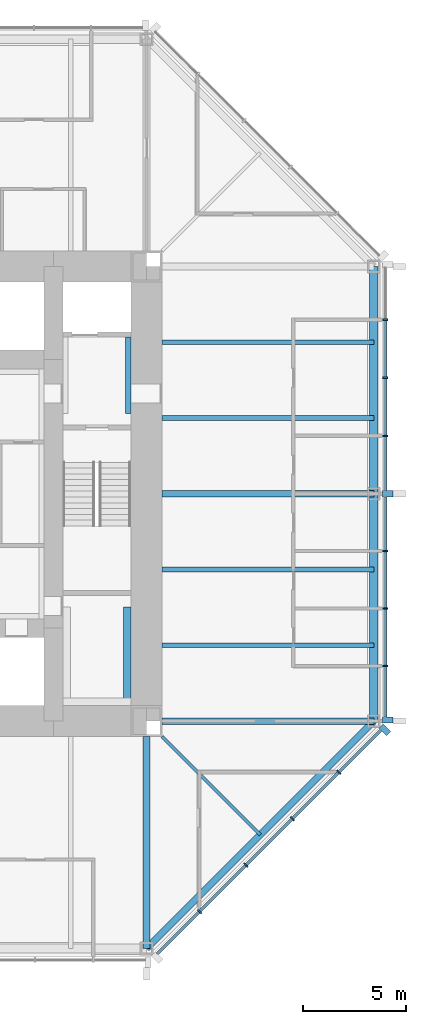
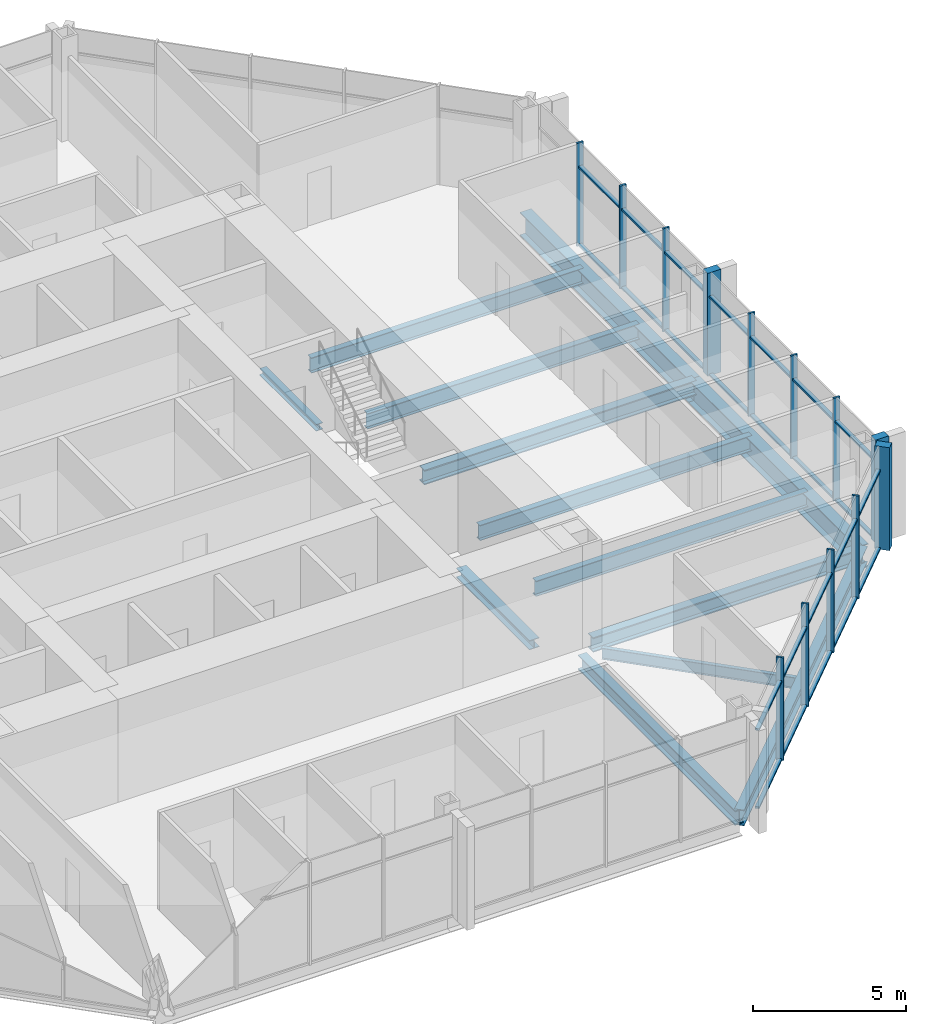
# One storey, part 4 of 12: 37 members, 13 beams, 2 elements without a shape of their own.
"""IFC4 building model written with IfcOpenShell, lengths in metres."""

import ifcopenshell
import ifcopenshell.guid

model = None  # the IFC model being written
_history = None  # IfcOwnerHistory: only IFC2X3 demands one
_inside = {}  # id of a spatial element -> (the spatial element, [elements in it])
_under = {}  # id of a project, library or spatial element -> (it, [spatial elements below it])
_declared = {}  # id of a project -> (the project, [libraries it declares])
_typed = {}  # id of a type object -> (the type object, [elements of that type])
_made_of = {}  # id of a material, layer set ... -> (it, [elements and type objects made of it])


def new_model(schema):
    """Start an empty IFC model of exactly this schema.

    Asked for "IFC4X3", IfcOpenShell would pick the latest addendum, in which some entities
    have other attributes; the version numbers below select the first issue.
    IFC2X3 requires an IfcOwnerHistory on every rooted entity: one is made here for all.
    """
    global model, _history
    if schema == "IFC4X3":
        model = ifcopenshell.file(schema_version=(4, 3, 0, 0))
    else:
        model = ifcopenshell.file(schema=schema)
    _inside.clear()
    _under.clear()
    _declared.clear()
    _typed.clear()
    _made_of.clear()
    _history = None
    if model.schema == "IFC2X3":
        org = make("IfcOrganization", Name="unknown")
        user = make(
            "IfcPersonAndOrganization",
            ThePerson=make("IfcPerson", FamilyName="unknown"),
            TheOrganization=org,
        )
        app = make(
            "IfcApplication",
            ApplicationDeveloper=org,
            Version="unknown",
            ApplicationFullName="unknown",
            ApplicationIdentifier="unknown",
        )
        _history = make(
            "IfcOwnerHistory",
            OwningUser=user,
            OwningApplication=app,
            ChangeAction="ADDED",
            CreationDate=0,
        )
    return model


def make(cls, **values):
    """One entity of the class cls with the attributes given. An attribute that is None is left unset."""
    return model.create_entity(
        cls, **{name: value for name, value in values.items() if value is not None}
    )


def rooted(cls, **values):
    """An entity with a GlobalId (a new one), such as an element, a storey or a relation."""
    return make(cls, GlobalId=ifcopenshell.guid.new(), OwnerHistory=_history, **values)


def si_unit(unit_type, name, prefix=None):
    """IfcSIUnit, for example si_unit("LENGTHUNIT", "METRE", prefix="MILLI")."""
    return make("IfcSIUnit", UnitType=unit_type, Prefix=prefix, Name=name)


def assignment(units):
    """IfcUnitAssignment: the units of a project."""
    return None if units is None else make("IfcUnitAssignment", Units=units)


def point(xyz):
    """IfcCartesianPoint."""
    return None if xyz is None else make("IfcCartesianPoint", Coordinates=xyz)


def direction(xyz):
    """IfcDirection."""
    return None if xyz is None else make("IfcDirection", DirectionRatios=xyz)


def frame(location, z_axis=None, x_axis=None):
    """IfcAxis2Placement3D, a coordinate frame: its origin and axes. An axis left out is left unset."""
    return make(
        "IfcAxis2Placement3D",
        Location=point(location),
        Axis=direction(z_axis),
        RefDirection=direction(x_axis),
    )


def frame_2d(location, x_axis=None):
    """IfcAxis2Placement2D, a coordinate frame in the plane: its origin and x axis."""
    return make(
        "IfcAxis2Placement2D", Location=point(location), RefDirection=direction(x_axis)
    )


def origin():
    """The frame at (0, 0, 0) with its axes left unset."""
    return frame((0.0, 0.0, 0.0))


def origin_2d():
    """The frame at (0, 0) in the plane with its x axis left unset."""
    return frame_2d((0.0, 0.0))


def place(relative_to, where):
    """IfcLocalPlacement: puts the frame where relative to a parent placement (None: the world)."""
    return make(
        "IfcLocalPlacement", PlacementRelTo=relative_to, RelativePlacement=where
    )


def context(
    kind, dimensions, precision=None, world=None, true_north=None, identifier=None
):
    """IfcGeometricRepresentationContext, for example the 3D "Model" context."""
    return make(
        "IfcGeometricRepresentationContext",
        ContextIdentifier=identifier,
        ContextType=kind,
        CoordinateSpaceDimension=dimensions,
        Precision=precision,
        WorldCoordinateSystem=world,
        TrueNorth=true_north,
    )


def subcontext(parent, identifier, kind, view, scale=None):
    """IfcGeometricRepresentationSubContext, for example "Body" below "Model"."""
    return make(
        "IfcGeometricRepresentationSubContext",
        ContextIdentifier=identifier,
        ContextType=kind,
        ParentContext=parent,
        TargetScale=scale,
        TargetView=view,
    )


def project(units=None, contexts=None):
    """IfcProject with its units and contexts."""
    return rooted(
        "IfcProject",
        Name="project",
        RepresentationContexts=contexts,
        UnitsInContext=assignment(units),
    )


def spatial(cls, under=None, at=None, **own):
    """A site, building, storey or space (cls), placed at a placement, below another one or the project."""
    s = rooted(cls, ObjectPlacement=at, **own)
    if under is not None:
        _under.setdefault(under.id(), (under, []))[1].append(s)
    return s


def profile(cls, at=None, kind="AREA", **sizes):
    """A parametric profile (cls). Its sizes go by their IFC names, for example OverallWidth=200.0."""
    return make(cls, ProfileType=kind, Position=at, **sizes)


def rectangle(**sizes):
    """IfcRectangleProfileDef."""
    return profile("IfcRectangleProfileDef", **sizes)


def i_section(**sizes):
    """IfcIShapeProfileDef."""
    return profile("IfcIShapeProfileDef", **sizes)


def extrude(swept, where, along, depth):
    """IfcExtrudedAreaSolid: the profile swept, set in the frame where, extruded along a direction by depth."""
    return make(
        "IfcExtrudedAreaSolid",
        SweptArea=swept,
        Position=where,
        ExtrudedDirection=direction(along),
        Depth=depth,
    )


def shape(context_of_items, identifier, shape_type, items):
    """IfcShapeRepresentation: the items that make up one representation, for example the "Body"."""
    return make(
        "IfcShapeRepresentation",
        ContextOfItems=context_of_items,
        RepresentationIdentifier=identifier,
        RepresentationType=shape_type,
        Items=items,
    )


def material(Name=None, Category=None):
    """IfcMaterial."""
    return make("IfcMaterial", Name=Name, Category=Category)


def material_profile(
    of_material, cross_section, Name=None, Category=None, Priority=None
):
    """IfcMaterialProfile: a cross section and its material."""
    return make(
        "IfcMaterialProfile",
        Name=Name,
        Material=of_material,
        Profile=cross_section,
        Priority=Priority,
        Category=Category,
    )


def profile_set(profiles, Name=None, composite=None):
    """IfcMaterialProfileSet."""
    return make(
        "IfcMaterialProfileSet",
        Name=Name,
        MaterialProfiles=profiles,
        CompositeProfile=composite,
    )


def made_of(thing, what):
    """Note that an element or type object is made of a material, layer set ...; save() writes the relation."""
    if what is not None:
        _made_of.setdefault(what.id(), (what, []))[1].append(thing)
    return thing


def type_object(cls, material=None, **own):
    """A type object (cls), such as IfcWallType, which elements share."""
    return made_of(rooted(cls, **own), material)


def element(
    cls,
    number,
    at=None,
    inside=None,
    cuts=None,
    type_object=None,
    material=None,
    context=None,
    identifier="Body",
    shape_type=None,
    held_by="IfcProductDefinitionShape",
    body=None,
    shapes=None,
    **own,
):
    """One element of the class cls, such as IfcWall. Its Tag is "e" and its number.

    at: its placement. inside: the storey or other place that contains it. cuts: it is an
    opening in that element (IfcRelVoidsElement). A single representation is given by context,
    identifier, shape_type and body (its items); several are given by shapes. held_by: the class
    of the entity that holds the representations. save() writes the other relations.
    """
    e = rooted(cls, Tag="e%d" % number, ObjectPlacement=at, **own)
    if body is not None:
        shapes = [shape(context, identifier, shape_type, body)]
    if shapes is not None:
        e.Representation = make(held_by, Representations=shapes)
    if inside is not None:
        _inside.setdefault(inside.id(), (inside, []))[1].append(e)
    if cuts is not None:
        rooted(
            "IfcRelVoidsElement", RelatingBuildingElement=cuts, RelatedOpeningElement=e
        )
    if type_object is not None:
        _typed.setdefault(type_object.id(), (type_object, []))[1].append(e)
    return made_of(e, material)


def aggregate(whole, parts):
    """IfcRelAggregates: a whole, such as a stair, and the parts it consists of."""
    return rooted("IfcRelAggregates", RelatingObject=whole, RelatedObjects=parts)


def save(model, path):
    """Write the relations noted so far, then the file.

    IfcRelAggregates (storeys below a building ...), IfcRelContainedInSpatialStructure (elements
    in a storey), IfcRelDefinesByType, IfcRelAssociatesMaterial and IfcRelDeclares: one each for
    every whole, place, type object, material and project.
    """
    for whole, parts in _under.values():
        aggregate(whole, parts)
    for where, things in _inside.values():
        rooted(
            "IfcRelContainedInSpatialStructure",
            RelatedElements=things,
            RelatingStructure=where,
        )
    for kind, things in _typed.values():
        rooted("IfcRelDefinesByType", RelatedObjects=things, RelatingType=kind)
    for what, things in _made_of.values():
        rooted("IfcRelAssociatesMaterial", RelatedObjects=things, RelatingMaterial=what)
    for by, libraries in _declared.values():
        rooted("IfcRelDeclares", RelatingContext=by, RelatedDefinitions=libraries)
    model.write(path)


model = new_model("IFC4")

# Units and contexts
model_context = context("Model", 3, precision=1e-05, world=origin(), true_north=direction((0.0, 1.0)))
body_context = subcontext(model_context, "Body", "Model", "MODEL_VIEW")
ifc_project = project(units=[si_unit("LENGTHUNIT", "METRE"), si_unit("AREAUNIT", "SQUARE_METRE"), si_unit("VOLUMEUNIT", "CUBIC_METRE"), si_unit("PLANEANGLEUNIT", "RADIAN"), si_unit("MASSUNIT", "GRAM", prefix="KILO")], contexts=[model_context])

# Site, building, storey
site_placement = place(None, origin())
site = spatial("IfcSite", under=ifc_project, at=site_placement, CompositionType="ELEMENT")
building_placement = place(site_placement, origin())
building = spatial("IfcBuilding", under=site, at=building_placement, Name="Trevanion Tower", CompositionType="ELEMENT")
storey_placement = place(building_placement, frame((0.0, 0.0, 170.5)))
storey = spatial("IfcBuildingStorey", under=building, at=storey_placement, Name="L40", CompositionType="ELEMENT", Elevation=170.5)

# Beams
ifc_material_1 = material(Name="Steel ASTM A992 Grade 50", Category="steel")
ifc_material_profile_1 = material_profile(ifc_material_1, i_section(OverallWidth=0.22900390625, OverallDepth=0.612060546875, WebThickness=0.011962890625, FlangeThickness=0.01953125, at=origin_2d()), Name="W24X84")
ifc_profile_set_1 = profile_set([ifc_material_profile_1], Name="Steel ASTM A992 Grade 50")
beam_type_1 = type_object("IfcBeamType", Name="B7 W24X84", PredefinedType="BEAM", material=ifc_profile_set_1)
for number, where, z_axis, x_axis, name in (
    (1, (11.75, -7.333251953125, -0.49609375), (1.0, 0.0, 0.0), (0.0, 1.0, 0.0), "B7 L40"),
    (2, (11.75, -3.666748046875, -0.49609375), (1.0, 0.0, 0.0), (0.0, 1.0, 0.0), "B7 L40"),
    (3, (11.75, 3.666748046875, -0.49609375), (1.0, 0.0, 0.0), (0.0, 1.0, 0.0), "B7 L40"),
    (4, (11.75, 7.333251953125, -0.49609375), (1.0, 0.0, 0.0), (0.0, 1.0, 0.0), "B7 L40"),
):
    element("IfcBeam", number, at=place(storey_placement, frame(where, z_axis=z_axis, x_axis=x_axis)), inside=storey, type_object=beam_type_1, Name=name, PredefinedType="BEAM", context=body_context, shape_type="SweptSolid", body=[
        extrude(i_section(OverallWidth=0.22900390625, OverallDepth=0.612060546875, WebThickness=0.011962890625, FlangeThickness=0.01953125, at=origin_2d()), origin(), (0.0, 0.0, 1.0), 10.25),
    ])
ifc_material_2 = material(Name="Steel ASTM A992 Grade 50", Category="steel")
ifc_material_profile_2 = material_profile(ifc_material_2, i_section(OverallWidth=0.15234375, OverallDepth=0.449462890625, WebThickness=0.007568359375, FlangeThickness=0.0107421875, at=origin_2d()), Name="W18X35")
ifc_profile_set_2 = profile_set([ifc_material_profile_2], Name="Steel ASTM A992 Grade 50")
beam_type_2 = type_object("IfcBeamType", Name="B8 W18X35", PredefinedType="BEAM", material=ifc_profile_set_2)
beam_1_placement = place(storey_placement, frame((11.75, -11.75, -0.414794921875), z_axis=(0.707106781187, -0.707106781187, 0.0), x_axis=(0.707106781187, 0.707106781187, 0.0)))
element("IfcBeam", 5, at=beam_1_placement, inside=storey, type_object=beam_type_2, Name="B8 L40", PredefinedType="BEAM", context=body_context, shape_type="SweptSolid", body=[
    extrude(i_section(OverallWidth=0.15234375, OverallDepth=0.449462890625, WebThickness=0.007568359375, FlangeThickness=0.0107421875, at=origin_2d()), origin(), (0.0, 0.0, 1.0), 6.717529296875),
])

# Curtain wall, members
ifc_material_3 = material(Name="Aluminium and glass", Category="aluminium")
curtain_wall_type = type_object("IfcCurtainWallType", Name="CW2 curtain wall", PredefinedType="USERDEFINED", material=ifc_material_3)
curtain_wall_1_placement = place(storey_placement, origin())
curtain_wall_1 = element("IfcCurtainWall", 6, at=curtain_wall_1_placement, inside=storey, type_object=curtain_wall_type, Name="CW2 L40 0", ObjectType="UNITISED CURTAIN WALL", PredefinedType="USERDEFINED")
ifc_material_4 = material(Name="Aluminium extrusion, anodised bronze", Category="aluminium")
ifc_material_profile_3 = material_profile(ifc_material_4, rectangle(XDim=0.074951171875, YDim=0.25, at=origin_2d()), Name="CW2 mullion")
ifc_profile_set_3 = profile_set([ifc_material_profile_3], Name="Aluminium extrusion, anodised bronze")
member_type_1 = type_object("IfcMemberType", Name="CW2 mullion", PredefinedType="MULLION", material=ifc_profile_set_3)
member_1_placement = place(storey_placement, frame((22.550048828125, -8.323486328125, -0.18994140625), z_axis=(0.0, 0.0, 1.0), x_axis=(0.0, 1.0, 0.0)))
member_1 = element("IfcMember", 7, at=member_1_placement, type_object=member_type_1, Name="CW2 mullion 2", PredefinedType="MULLION", context=body_context, shape_type="SweptSolid", body=[
    extrude(rectangle(XDim=0.074951171875, YDim=0.25, at=origin_2d()), origin(), (0.0, 0.0, 1.0), 4.099853515625),
])
member_2_placement = place(storey_placement, frame((22.550048828125, -5.548828125, -0.18994140625), z_axis=(0.0, 0.0, 1.0), x_axis=(0.0, 1.0, 0.0)))
member_2 = element("IfcMember", 8, at=member_2_placement, type_object=member_type_1, Name="CW2 mullion 3", PredefinedType="MULLION", context=body_context, shape_type="SweptSolid", body=[
    extrude(rectangle(XDim=0.074951171875, YDim=0.25, at=origin_2d()), origin(), (0.0, 0.0, 1.0), 4.099853515625),
])
member_3_placement = place(storey_placement, frame((22.550048828125, -2.7744140625, -0.18994140625), z_axis=(0.0, 0.0, 1.0), x_axis=(0.0, 1.0, 0.0)))
member_3 = element("IfcMember", 9, at=member_3_placement, type_object=member_type_1, Name="CW2 mullion 4", PredefinedType="MULLION", context=body_context, shape_type="SweptSolid", body=[
    extrude(rectangle(XDim=0.074951171875, YDim=0.25, at=origin_2d()), origin(), (0.0, 0.0, 1.0), 4.099853515625),
])
member_4_placement = place(storey_placement, frame((22.550048828125, 2.806884765625, -0.18994140625), z_axis=(0.0, 0.0, 1.0), x_axis=(0.0, 1.0, 0.0)))
member_4 = element("IfcMember", 10, at=member_4_placement, type_object=member_type_1, Name="CW2 mullion 6", PredefinedType="MULLION", context=body_context, shape_type="SweptSolid", body=[
    extrude(rectangle(XDim=0.074951171875, YDim=0.25, at=origin_2d()), origin(), (0.0, 0.0, 1.0), 4.099853515625),
])
member_5_placement = place(storey_placement, frame((22.550048828125, 5.614013671875, -0.18994140625), z_axis=(0.0, 0.0, 1.0), x_axis=(0.0, 1.0, 0.0)))
member_5 = element("IfcMember", 11, at=member_5_placement, type_object=member_type_1, Name="CW2 mullion 7", PredefinedType="MULLION", context=body_context, shape_type="SweptSolid", body=[
    extrude(rectangle(XDim=0.074951171875, YDim=0.25, at=origin_2d()), origin(), (0.0, 0.0, 1.0), 4.099853515625),
])
member_6_placement = place(storey_placement, frame((22.550048828125, 8.4208984375, -0.18994140625), z_axis=(0.0, 0.0, 1.0), x_axis=(0.0, 1.0, 0.0)))
member_6 = element("IfcMember", 12, at=member_6_placement, type_object=member_type_1, Name="CW2 mullion 8", PredefinedType="MULLION", context=body_context, shape_type="SweptSolid", body=[
    extrude(rectangle(XDim=0.074951171875, YDim=0.25, at=origin_2d()), origin(), (0.0, 0.0, 1.0), 4.099853515625),
])

curtain_wall_2_placement = place(storey_placement, origin())
curtain_wall_2 = element("IfcCurtainWall", 13, at=curtain_wall_2_placement, inside=storey, type_object=curtain_wall_type, Name="CW2 L40 7", ObjectType="UNITISED CURTAIN WALL", PredefinedType="USERDEFINED")
member_7_placement = place(storey_placement, frame((13.56591796875, -20.2119140625, -0.18994140625), z_axis=(0.0, 0.0, 1.0), x_axis=(0.707106781187, 0.707106781187, 0.0)))
member_7 = element("IfcMember", 14, at=member_7_placement, type_object=member_type_1, Name="CW2 mullion 2", PredefinedType="MULLION", context=body_context, shape_type="SweptSolid", body=[
    extrude(rectangle(XDim=0.074951171875, YDim=0.25, at=origin_2d()), origin(), (0.0, 0.0, 1.0), 4.099853515625),
])
member_8_placement = place(storey_placement, frame((15.811767578125, -17.966064453125, -0.18994140625), z_axis=(0.0, 0.0, 1.0), x_axis=(0.707106781187, 0.707106781187, 0.0)))
member_8 = element("IfcMember", 15, at=member_8_placement, type_object=member_type_1, Name="CW2 mullion 3", PredefinedType="MULLION", context=body_context, shape_type="SweptSolid", body=[
    extrude(rectangle(XDim=0.074951171875, YDim=0.25, at=origin_2d()), origin(), (0.0, 0.0, 1.0), 4.099853515625),
])
member_9_placement = place(storey_placement, frame((18.057861328125, -15.719970703125, -0.18994140625), z_axis=(0.0, 0.0, 1.0), x_axis=(0.707106781187, 0.707106781187, 0.0)))
member_9 = element("IfcMember", 16, at=member_9_placement, type_object=member_type_1, Name="CW2 mullion 4", PredefinedType="MULLION", context=body_context, shape_type="SweptSolid", body=[
    extrude(rectangle(XDim=0.074951171875, YDim=0.25, at=origin_2d()), origin(), (0.0, 0.0, 1.0), 4.099853515625),
])
member_10_placement = place(storey_placement, frame((20.303955078125, -13.473876953125, -0.18994140625), z_axis=(0.0, 0.0, 1.0), x_axis=(0.707106781187, 0.707106781187, 0.0)))
member_10 = element("IfcMember", 17, at=member_10_placement, type_object=member_type_1, Name="CW2 mullion 5", PredefinedType="MULLION", context=body_context, shape_type="SweptSolid", body=[
    extrude(rectangle(XDim=0.074951171875, YDim=0.25, at=origin_2d()), origin(), (0.0, 0.0, 1.0), 4.099853515625),
])

# Member
ifc_material_5 = material(Name="Aluminium extrusion, anodised bronze", Category="aluminium")
ifc_material_profile_4 = material_profile(ifc_material_5, rectangle(XDim=0.300048828125, YDim=0.5, at=origin_2d()), Name="CW2 pier mullion")
ifc_profile_set_4 = profile_set([ifc_material_profile_4], Name="Aluminium extrusion, anodised bronze")
member_type_2 = type_object("IfcMemberType", Name="CW2 pier mullion", PredefinedType="MULLION", material=ifc_profile_set_4)
member_11_placement = place(storey_placement, frame((22.675048828125, -10.94775390625, -0.18994140625), z_axis=(0.0, 0.0, 1.0), x_axis=(0.0, 1.0, 0.0)))
member_11 = element("IfcMember", 18, at=member_11_placement, type_object=member_type_2, Name="CW2 pier mullion 1", PredefinedType="MULLION", context=body_context, shape_type="SweptSolid", body=[
    extrude(rectangle(XDim=0.300048828125, YDim=0.5, at=origin_2d()), origin(), (0.0, 0.0, 1.0), 4.099853515625),
])

member_12_placement = place(storey_placement, frame((22.675048828125, 0.0, -0.18994140625), z_axis=(0.0, 0.0, 1.0), x_axis=(0.0, 1.0, 0.0)))
member_12 = element("IfcMember", 19, at=member_12_placement, type_object=member_type_2, Name="CW2 pier mullion 5", PredefinedType="MULLION", context=body_context, shape_type="SweptSolid", body=[
    extrude(rectangle(XDim=0.300048828125, YDim=0.5, at=origin_2d()), origin(), (0.0, 0.0, 1.0), 4.099853515625),
])

member_13_placement = place(storey_placement, frame((22.5322265625, -11.42236328125, -0.18994140625), z_axis=(0.0, 0.0, 1.0), x_axis=(0.707106781187, 0.707106781187, 0.0)))
member_13 = element("IfcMember", 20, at=member_13_placement, type_object=member_type_2, Name="CW2 pier mullion 6", PredefinedType="MULLION", context=body_context, shape_type="SweptSolid", body=[
    extrude(rectangle(XDim=0.300048828125, YDim=0.5, at=origin_2d()), origin(), (0.0, 0.0, 1.0), 4.099853515625),
])

ifc_material_6 = material(Name="Aluminium extrusion, anodised bronze", Category="aluminium")
ifc_material_profile_5 = material_profile(ifc_material_6, rectangle(XDim=0.14990234375, YDim=0.074951171875, at=origin_2d()), Name="CW2 transom")
ifc_profile_set_5 = profile_set([ifc_material_profile_5], Name="Aluminium extrusion, anodised bronze")
member_type_3 = type_object("IfcMemberType", Name="CW2 transom", PredefinedType="USERDEFINED", material=ifc_profile_set_5)
member_14_placement = place(storey_placement, frame((22.550048828125, -10.7978515625, -0.152587890625), z_axis=(0.0, 1.0, 0.0), x_axis=(-1.0, 0.0, 0.0)))
member_14 = element("IfcMember", 21, at=member_14_placement, type_object=member_type_3, Name="CW2 transom 1.1", ObjectType="TRANSOM", PredefinedType="USERDEFINED", context=body_context, shape_type="SweptSolid", body=[
    extrude(rectangle(XDim=0.14990234375, YDim=0.074951171875, at=origin_2d()), origin(), (0.0, 0.0, 1.0), 2.43701171875),
])

member_15_placement = place(storey_placement, frame((22.550048828125, -10.7978515625, 2.9599609375), z_axis=(0.0, 1.0, 0.0), x_axis=(-1.0, 0.0, 0.0)))
member_15 = element("IfcMember", 22, at=member_15_placement, type_object=member_type_3, Name="CW2 transom 1.2", ObjectType="TRANSOM", PredefinedType="USERDEFINED", context=body_context, shape_type="SweptSolid", body=[
    extrude(rectangle(XDim=0.14990234375, YDim=0.074951171875, at=origin_2d()), origin(), (0.0, 0.0, 1.0), 2.43701171875),
])

member_16_placement = place(storey_placement, frame((22.550048828125, -8.285888671875, -0.152587890625), z_axis=(0.0, 1.0, 0.0), x_axis=(-1.0, 0.0, 0.0)))
member_16 = element("IfcMember", 23, at=member_16_placement, type_object=member_type_3, Name="CW2 transom 2.1", ObjectType="TRANSOM", PredefinedType="USERDEFINED", context=body_context, shape_type="SweptSolid", body=[
    extrude(rectangle(XDim=0.14990234375, YDim=0.074951171875, at=origin_2d()), origin(), (0.0, 0.0, 1.0), 2.699462890625),
])

member_17_placement = place(storey_placement, frame((22.550048828125, -8.285888671875, 2.9599609375), z_axis=(0.0, 1.0, 0.0), x_axis=(-1.0, 0.0, 0.0)))
member_17 = element("IfcMember", 24, at=member_17_placement, type_object=member_type_3, Name="CW2 transom 2.2", ObjectType="TRANSOM", PredefinedType="USERDEFINED", context=body_context, shape_type="SweptSolid", body=[
    extrude(rectangle(XDim=0.14990234375, YDim=0.074951171875, at=origin_2d()), origin(), (0.0, 0.0, 1.0), 2.699462890625),
])

member_18_placement = place(storey_placement, frame((22.550048828125, -5.511474609375, -0.152587890625), z_axis=(0.0, 1.0, 0.0), x_axis=(-1.0, 0.0, 0.0)))
member_18 = element("IfcMember", 25, at=member_18_placement, type_object=member_type_3, Name="CW2 transom 3.1", ObjectType="TRANSOM", PredefinedType="USERDEFINED", context=body_context, shape_type="SweptSolid", body=[
    extrude(rectangle(XDim=0.14990234375, YDim=0.074951171875, at=origin_2d()), origin(), (0.0, 0.0, 1.0), 2.699462890625),
])

member_19_placement = place(storey_placement, frame((22.550048828125, -5.511474609375, 2.9599609375), z_axis=(0.0, 1.0, 0.0), x_axis=(-1.0, 0.0, 0.0)))
member_19 = element("IfcMember", 26, at=member_19_placement, type_object=member_type_3, Name="CW2 transom 3.2", ObjectType="TRANSOM", PredefinedType="USERDEFINED", context=body_context, shape_type="SweptSolid", body=[
    extrude(rectangle(XDim=0.14990234375, YDim=0.074951171875, at=origin_2d()), origin(), (0.0, 0.0, 1.0), 2.699462890625),
])

member_20_placement = place(storey_placement, frame((22.550048828125, -2.737060546875, -0.152587890625), z_axis=(0.0, 1.0, 0.0), x_axis=(-1.0, 0.0, 0.0)))
member_20 = element("IfcMember", 27, at=member_20_placement, type_object=member_type_3, Name="CW2 transom 4.1", ObjectType="TRANSOM", PredefinedType="USERDEFINED", context=body_context, shape_type="SweptSolid", body=[
    extrude(rectangle(XDim=0.14990234375, YDim=0.074951171875, at=origin_2d()), origin(), (0.0, 0.0, 1.0), 2.587158203125),
])

member_21_placement = place(storey_placement, frame((22.550048828125, -2.737060546875, 2.9599609375), z_axis=(0.0, 1.0, 0.0), x_axis=(-1.0, 0.0, 0.0)))
member_21 = element("IfcMember", 28, at=member_21_placement, type_object=member_type_3, Name="CW2 transom 4.2", ObjectType="TRANSOM", PredefinedType="USERDEFINED", context=body_context, shape_type="SweptSolid", body=[
    extrude(rectangle(XDim=0.14990234375, YDim=0.074951171875, at=origin_2d()), origin(), (0.0, 0.0, 1.0), 2.587158203125),
])

member_22_placement = place(storey_placement, frame((22.550048828125, 0.14990234375, -0.152587890625), z_axis=(0.0, 1.0, 0.0), x_axis=(-1.0, 0.0, 0.0)))
member_22 = element("IfcMember", 29, at=member_22_placement, type_object=member_type_3, Name="CW2 transom 5.1", ObjectType="TRANSOM", PredefinedType="USERDEFINED", context=body_context, shape_type="SweptSolid", body=[
    extrude(rectangle(XDim=0.14990234375, YDim=0.074951171875, at=origin_2d()), origin(), (0.0, 0.0, 1.0), 2.619384765625),
])

member_23_placement = place(storey_placement, frame((22.550048828125, 0.14990234375, 2.9599609375), z_axis=(0.0, 1.0, 0.0), x_axis=(-1.0, 0.0, 0.0)))
member_23 = element("IfcMember", 30, at=member_23_placement, type_object=member_type_3, Name="CW2 transom 5.2", ObjectType="TRANSOM", PredefinedType="USERDEFINED", context=body_context, shape_type="SweptSolid", body=[
    extrude(rectangle(XDim=0.14990234375, YDim=0.074951171875, at=origin_2d()), origin(), (0.0, 0.0, 1.0), 2.619384765625),
])

member_24_placement = place(storey_placement, frame((22.550048828125, 2.844482421875, -0.152587890625), z_axis=(0.0, 1.0, 0.0), x_axis=(-1.0, 0.0, 0.0)))
member_24 = element("IfcMember", 31, at=member_24_placement, type_object=member_type_3, Name="CW2 transom 6.1", ObjectType="TRANSOM", PredefinedType="USERDEFINED", context=body_context, shape_type="SweptSolid", body=[
    extrude(rectangle(XDim=0.14990234375, YDim=0.074951171875, at=origin_2d()), origin(), (0.0, 0.0, 1.0), 2.73193359375),
])

member_25_placement = place(storey_placement, frame((22.550048828125, 2.844482421875, 2.9599609375), z_axis=(0.0, 1.0, 0.0), x_axis=(-1.0, 0.0, 0.0)))
member_25 = element("IfcMember", 32, at=member_25_placement, type_object=member_type_3, Name="CW2 transom 6.2", ObjectType="TRANSOM", PredefinedType="USERDEFINED", context=body_context, shape_type="SweptSolid", body=[
    extrude(rectangle(XDim=0.14990234375, YDim=0.074951171875, at=origin_2d()), origin(), (0.0, 0.0, 1.0), 2.73193359375),
])

member_26_placement = place(storey_placement, frame((22.550048828125, 5.6513671875, -0.152587890625), z_axis=(0.0, 1.0, 0.0), x_axis=(-1.0, 0.0, 0.0)))
member_26 = element("IfcMember", 33, at=member_26_placement, type_object=member_type_3, Name="CW2 transom 7.1", ObjectType="TRANSOM", PredefinedType="USERDEFINED", context=body_context, shape_type="SweptSolid", body=[
    extrude(rectangle(XDim=0.14990234375, YDim=0.074951171875, at=origin_2d()), origin(), (0.0, 0.0, 1.0), 2.73193359375),
])

member_27_placement = place(storey_placement, frame((22.550048828125, 5.6513671875, 2.9599609375), z_axis=(0.0, 1.0, 0.0), x_axis=(-1.0, 0.0, 0.0)))
member_27 = element("IfcMember", 34, at=member_27_placement, type_object=member_type_3, Name="CW2 transom 7.2", ObjectType="TRANSOM", PredefinedType="USERDEFINED", context=body_context, shape_type="SweptSolid", body=[
    extrude(rectangle(XDim=0.14990234375, YDim=0.074951171875, at=origin_2d()), origin(), (0.0, 0.0, 1.0), 2.73193359375),
])

aggregate(curtain_wall_1, [member_11, member_1, member_2, member_3, member_12, member_4, member_5, member_6, member_14, member_15, member_16, member_17, member_18, member_19, member_20, member_21, member_22, member_23, member_24, member_25, member_26, member_27])

member_28_placement = place(storey_placement, frame((11.531982421875, -22.245849609375, -0.152587890625), z_axis=(0.707106781187, 0.707106781187, 0.0), x_axis=(-0.707106781187, 0.707106781187, 0.0)))
member_28 = element("IfcMember", 35, at=member_28_placement, type_object=member_type_3, Name="CW2 transom 1.1", ObjectType="TRANSOM", PredefinedType="USERDEFINED", context=body_context, shape_type="SweptSolid", body=[
    extrude(rectangle(XDim=0.14990234375, YDim=0.074951171875, at=origin_2d()), origin(), (0.0, 0.0, 1.0), 2.8388671875),
])

member_29_placement = place(storey_placement, frame((11.531982421875, -22.245849609375, 2.9599609375), z_axis=(0.707106781187, 0.707106781187, 0.0), x_axis=(-0.707106781187, 0.707106781187, 0.0)))
member_29 = element("IfcMember", 36, at=member_29_placement, type_object=member_type_3, Name="CW2 transom 1.2", ObjectType="TRANSOM", PredefinedType="USERDEFINED", context=body_context, shape_type="SweptSolid", body=[
    extrude(rectangle(XDim=0.14990234375, YDim=0.074951171875, at=origin_2d()), origin(), (0.0, 0.0, 1.0), 2.8388671875),
])

member_30_placement = place(storey_placement, frame((13.59228515625, -20.185546875, -0.152587890625), z_axis=(0.707106781187, 0.707106781187, 0.0), x_axis=(-0.707106781187, 0.707106781187, 0.0)))
member_30 = element("IfcMember", 37, at=member_30_placement, type_object=member_type_3, Name="CW2 transom 2.1", ObjectType="TRANSOM", PredefinedType="USERDEFINED", context=body_context, shape_type="SweptSolid", body=[
    extrude(rectangle(XDim=0.14990234375, YDim=0.074951171875, at=origin_2d()), origin(), (0.0, 0.0, 1.0), 3.1015625),
])

member_31_placement = place(storey_placement, frame((13.59228515625, -20.185546875, 2.9599609375), z_axis=(0.707106781187, 0.707106781187, 0.0), x_axis=(-0.707106781187, 0.707106781187, 0.0)))
member_31 = element("IfcMember", 38, at=member_31_placement, type_object=member_type_3, Name="CW2 transom 2.2", ObjectType="TRANSOM", PredefinedType="USERDEFINED", context=body_context, shape_type="SweptSolid", body=[
    extrude(rectangle(XDim=0.14990234375, YDim=0.074951171875, at=origin_2d()), origin(), (0.0, 0.0, 1.0), 3.1015625),
])

member_32_placement = place(storey_placement, frame((15.83837890625, -17.939453125, -0.152587890625), z_axis=(0.707106781187, 0.707106781187, 0.0), x_axis=(-0.707106781187, 0.707106781187, 0.0)))
member_32 = element("IfcMember", 39, at=member_32_placement, type_object=member_type_3, Name="CW2 transom 3.1", ObjectType="TRANSOM", PredefinedType="USERDEFINED", context=body_context, shape_type="SweptSolid", body=[
    extrude(rectangle(XDim=0.14990234375, YDim=0.074951171875, at=origin_2d()), origin(), (0.0, 0.0, 1.0), 3.1015625),
])

member_33_placement = place(storey_placement, frame((15.83837890625, -17.939453125, 2.9599609375), z_axis=(0.707106781187, 0.707106781187, 0.0), x_axis=(-0.707106781187, 0.707106781187, 0.0)))
member_33 = element("IfcMember", 40, at=member_33_placement, type_object=member_type_3, Name="CW2 transom 3.2", ObjectType="TRANSOM", PredefinedType="USERDEFINED", context=body_context, shape_type="SweptSolid", body=[
    extrude(rectangle(XDim=0.14990234375, YDim=0.074951171875, at=origin_2d()), origin(), (0.0, 0.0, 1.0), 3.1015625),
])

member_34_placement = place(storey_placement, frame((18.08447265625, -15.693359375, -0.152587890625), z_axis=(0.707106781187, 0.707106781187, 0.0), x_axis=(-0.707106781187, 0.707106781187, 0.0)))
member_34 = element("IfcMember", 41, at=member_34_placement, type_object=member_type_3, Name="CW2 transom 4.1", ObjectType="TRANSOM", PredefinedType="USERDEFINED", context=body_context, shape_type="SweptSolid", body=[
    extrude(rectangle(XDim=0.14990234375, YDim=0.074951171875, at=origin_2d()), origin(), (0.0, 0.0, 1.0), 3.10107421875),
])

member_35_placement = place(storey_placement, frame((18.08447265625, -15.693359375, 2.9599609375), z_axis=(0.707106781187, 0.707106781187, 0.0), x_axis=(-0.707106781187, 0.707106781187, 0.0)))
member_35 = element("IfcMember", 42, at=member_35_placement, type_object=member_type_3, Name="CW2 transom 4.2", ObjectType="TRANSOM", PredefinedType="USERDEFINED", context=body_context, shape_type="SweptSolid", body=[
    extrude(rectangle(XDim=0.14990234375, YDim=0.074951171875, at=origin_2d()), origin(), (0.0, 0.0, 1.0), 3.10107421875),
])

member_36_placement = place(storey_placement, frame((20.33056640625, -13.447509765625, -0.152587890625), z_axis=(0.707063781595, 0.707149778163, 0.0), x_axis=(-0.707149778163, 0.707063781595, 0.0)))
member_36 = element("IfcMember", 43, at=member_36_placement, type_object=member_type_3, Name="CW2 transom 5.1", ObjectType="TRANSOM", PredefinedType="USERDEFINED", context=body_context, shape_type="SweptSolid", body=[
    extrude(rectangle(XDim=0.14990234375, YDim=0.074951171875, at=origin_2d()), origin(), (0.0, 0.0, 1.0), 2.8388671875),
])

member_37_placement = place(storey_placement, frame((20.33056640625, -13.447509765625, 2.9599609375), z_axis=(0.707063781595, 0.707149778163, 0.0), x_axis=(-0.707149778163, 0.707063781595, 0.0)))
member_37 = element("IfcMember", 44, at=member_37_placement, type_object=member_type_3, Name="CW2 transom 5.2", ObjectType="TRANSOM", PredefinedType="USERDEFINED", context=body_context, shape_type="SweptSolid", body=[
    extrude(rectangle(XDim=0.14990234375, YDim=0.074951171875, at=origin_2d()), origin(), (0.0, 0.0, 1.0), 2.8388671875),
])

aggregate(curtain_wall_2, [member_7, member_8, member_9, member_10, member_13, member_28, member_29, member_30, member_31, member_32, member_33, member_34, member_35, member_36, member_37])

# Beams
ifc_material_7 = material(Name="Steel ASTM A992 Grade 50", Category="steel")
ifc_material_profile_6 = material_profile(ifc_material_7, i_section(OverallWidth=0.320068359375, OverallDepth=0.584228515625, WebThickness=0.023193359375, FlangeThickness=0.04150390625, at=origin_2d()), Name="W21X201")
ifc_profile_set_6 = profile_set([ifc_material_profile_6], Name="Steel ASTM A992 Grade 50")
beam_type_3 = type_object("IfcBeamType", Name="G4 W21X201", PredefinedType="BEAM", material=ifc_profile_set_6)
for number, where, z_axis, x_axis, name in (
    (45, (11.75, -11.0, -0.482177734375), (1.0, 0.0, 0.0), (0.0, 1.0, 0.0), "G4 L40"),
    (46, (11.75, 0.0, -0.482177734375), (1.0, 0.0, 0.0), (0.0, 1.0, 0.0), "G4 L40"),
    (47, (11.0, -11.75, -0.482177734375), (0.0, -1.0, 0.0), (1.0, 0.0, 0.0), "G4 L40"),
):
    element("IfcBeam", number, at=place(storey_placement, frame(where, z_axis=z_axis, x_axis=x_axis)), inside=storey, type_object=beam_type_3, Name=name, PredefinedType="BEAM", context=body_context, shape_type="SweptSolid", body=[
        extrude(i_section(OverallWidth=0.320068359375, OverallDepth=0.584228515625, WebThickness=0.023193359375, FlangeThickness=0.04150390625, at=origin_2d()), origin(), (0.0, 0.0, 1.0), 10.25),
    ])
ifc_material_8 = material(Name="Steel ASTM A992 Grade 50", Category="steel")
ifc_material_profile_7 = material_profile(ifc_material_8, i_section(OverallWidth=0.256591796875, OverallDepth=0.26416015625, WebThickness=0.011962890625, FlangeThickness=0.01953125, at=origin_2d()), Name="W10X68")
ifc_profile_set_7 = profile_set([ifc_material_profile_7], Name="Steel ASTM A992 Grade 50")
beam_type_4 = type_object("IfcBeamType", Name="LB1 W10X68", PredefinedType="BEAM", material=ifc_profile_set_7)
beam_2_placement = place(storey_placement, frame((10.12158203125, 3.875, -0.33203125), z_axis=(0.0, 1.0, 0.0), x_axis=(-1.0, 0.0, 0.0)))
element("IfcBeam", 48, at=beam_2_placement, inside=storey, type_object=beam_type_4, Name="LB1 L40", PredefinedType="BEAM", context=body_context, shape_type="SweptSolid", body=[
    extrude(i_section(OverallWidth=0.256591796875, OverallDepth=0.26416015625, WebThickness=0.011962890625, FlangeThickness=0.01953125, at=origin_2d()), origin(), (0.0, 0.0, 1.0), 3.699951171875),
])
ifc_material_9 = material(Name="Steel ASTM A992 Grade 50", Category="steel")
ifc_material_profile_8 = material_profile(ifc_material_9, i_section(OverallWidth=0.373291015625, OverallDepth=0.373291015625, WebThickness=0.016357421875, FlangeThickness=0.026123046875, at=origin_2d()), Name="W14X132")
ifc_profile_set_8 = profile_set([ifc_material_profile_8], Name="Steel ASTM A992 Grade 50")
beam_type_5 = type_object("IfcBeamType", Name="LB2 W14X132", PredefinedType="BEAM", material=ifc_profile_set_8)
beam_3_placement = place(storey_placement, frame((10.063232421875, -10.25, -0.38671875), z_axis=(0.0, 1.0, 0.0), x_axis=(-1.0, 0.0, 0.0)))
element("IfcBeam", 49, at=beam_3_placement, inside=storey, type_object=beam_type_5, Name="LB2 L40", PredefinedType="BEAM", context=body_context, shape_type="SweptSolid", body=[
    extrude(i_section(OverallWidth=0.373291015625, OverallDepth=0.373291015625, WebThickness=0.016357421875, FlangeThickness=0.026123046875, at=origin_2d()), origin(), (0.0, 0.0, 1.0), 4.77490234375),
])
ifc_material_10 = material(Name="Steel ASTM A992 Grade 50", Category="steel")
ifc_material_profile_9 = material_profile(ifc_material_10, i_section(OverallWidth=0.419189453125, OverallDepth=0.927001953125, WebThickness=0.019287109375, FlangeThickness=0.031982421875, at=origin_2d()), Name="W36X231")
ifc_profile_set_9 = profile_set([ifc_material_profile_9], Name="Steel ASTM A992 Grade 50")
beam_type_6 = type_object("IfcBeamType", Name="SB4 W36X231", PredefinedType="SPANDREL", material=ifc_profile_set_9)
for number, where, z_axis, x_axis, name in (
    (50, (22.0, -11.0, -0.653564453125), (0.0, 1.0, 0.0), (-1.0, 0.0, 0.0), "SB4 L40"),
    (51, (22.0, 0.0, -0.653564453125), (0.0, 1.0, 0.0), (-1.0, 0.0, 0.0), "SB4 L40"),
):
    element("IfcBeam", number, at=place(storey_placement, frame(where, z_axis=z_axis, x_axis=x_axis)), inside=storey, type_object=beam_type_6, Name=name, PredefinedType="SPANDREL", context=body_context, shape_type="SweptSolid", body=[
        extrude(i_section(OverallWidth=0.419189453125, OverallDepth=0.927001953125, WebThickness=0.019287109375, FlangeThickness=0.031982421875, at=origin_2d()), origin(), (0.0, 0.0, 1.0), 11.0),
    ])
ifc_material_11 = material(Name="Steel ASTM A992 Grade 50", Category="steel")
ifc_material_profile_10 = material_profile(ifc_material_11, i_section(OverallWidth=0.32763671875, OverallDepth=0.62744140625, WebThickness=0.0166015625, FlangeThickness=0.027587890625, at=origin_2d()), Name="W24X146")
ifc_profile_set_10 = profile_set([ifc_material_profile_10], Name="Steel ASTM A992 Grade 50")
beam_type_7 = type_object("IfcBeamType", Name="SB5 W24X146", PredefinedType="SPANDREL", material=ifc_profile_set_10)
beam_4_placement = place(storey_placement, frame((11.0, -22.0, -0.503662109375), z_axis=(0.707106781187, 0.707106781187, 0.0), x_axis=(-0.707106781187, 0.707106781187, 0.0)))
element("IfcBeam", 52, at=beam_4_placement, inside=storey, type_object=beam_type_7, Name="SB5 L40", PredefinedType="SPANDREL", context=body_context, shape_type="SweptSolid", body=[
    extrude(i_section(OverallWidth=0.32763671875, OverallDepth=0.62744140625, WebThickness=0.0166015625, FlangeThickness=0.027587890625, at=origin_2d()), origin(), (0.0, 0.0, 1.0), 15.556396484375),
])

save(model, "model.ifc")
